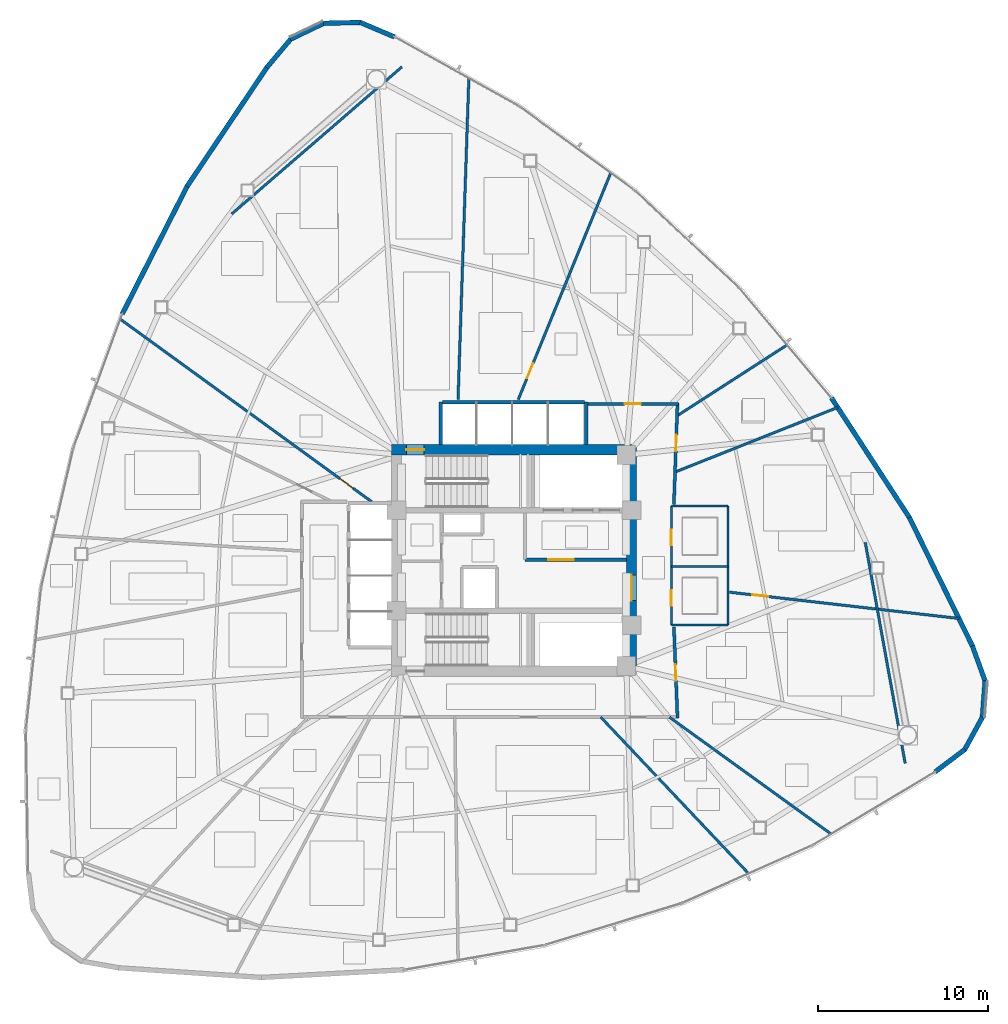
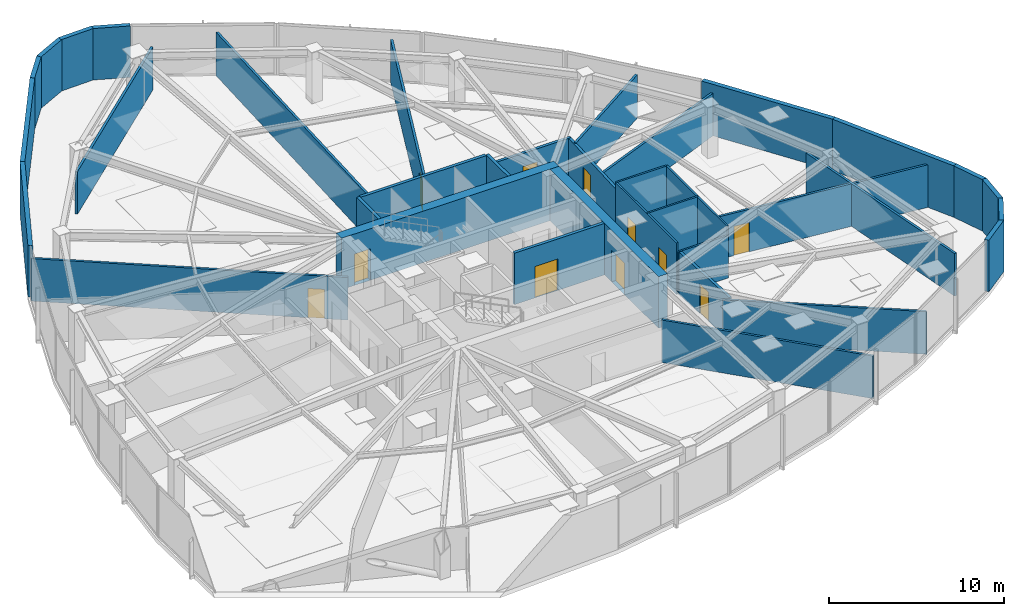
# One storey, part 12 of 17: 36 walls, 11 doors, 11 openings.
"""IFC4 building model written with IfcOpenShell, lengths in metres."""

from ifc_helpers import new_model, si_unit, direction, frame, frame_2d, origin, place, context, subcontext, project, spatial, rectangle, extrude, material, layer, layer_set, type_object, element, fill, save


model = new_model("IFC4")

# Units and contexts
model_context = context("Model", 3, precision=1e-05, world=origin(), true_north=direction((0.0, 1.0)))
body_context = subcontext(model_context, "Body", "Model", "MODEL_VIEW")
ifc_project = project(units=[si_unit("LENGTHUNIT", "METRE"), si_unit("AREAUNIT", "SQUARE_METRE"), si_unit("VOLUMEUNIT", "CUBIC_METRE"), si_unit("PLANEANGLEUNIT", "RADIAN"), si_unit("MASSUNIT", "GRAM", prefix="KILO")], contexts=[model_context])

# Site, building, storey
site_placement = place(None, origin())
site = spatial("IfcSite", under=ifc_project, at=site_placement, CompositionType="ELEMENT")
building_placement = place(site_placement, origin())
building = spatial("IfcBuilding", under=site, at=building_placement, Name="Tavelor Broadcast Tower", CompositionType="ELEMENT")
storey_placement = place(building_placement, frame((0.0, 0.0, 82.199951171875)))
storey = spatial("IfcBuildingStorey", under=building, at=storey_placement, Name="L19", CompositionType="ELEMENT", Elevation=82.199951171875)

# Wall, opening, door
ifc_material_1 = material(Name="Concrete C60/75", Category="concrete")
ifc_layer_1 = layer(ifc_material_1, 0.60009765625)
ifc_layer_set_1 = layer_set([ifc_layer_1], Name="Concrete C60/75")
wall_type_1 = type_object("IfcWallType", Name="Core Shear Wall 600 mm", PredefinedType="SHEAR", material=ifc_layer_set_1)
wall_1_placement = place(storey_placement, frame((42.800048828125, 51.5, 0.0), z_axis=(0.0, 0.0, 1.0), x_axis=(1.0, 0.0, 0.0)))
wall_1 = element("IfcWall", 1, at=wall_1_placement, inside=storey, type_object=wall_type_1, Name="L19 Central Core Shear Wall N", PredefinedType="SHEAR", context=body_context, shape_type="SweptSolid", body=[
    extrude(rectangle(XDim=14.39990234375, YDim=0.60009765625, at=frame_2d((7.199951171875, 0.0))), origin(), (0.0, 0.0, 1.0), 3.60009765625),
])
opening_1_placement = place(wall_1_placement, frame((0.8798828125, 0.0, 0.0)))
opening_1 = element("IfcOpeningElement", 2, at=opening_1_placement, cuts=wall_1, Name="Opening DR11", PredefinedType="OPENING", context=body_context, shape_type="SweptSolid", body=[
    extrude(rectangle(XDim=1.050048828125, YDim=2.199951171875, at=frame_2d((0.52490234375, 1.10009765625))), frame((0.0, 0.31005859375, 0.0), z_axis=(0.0, -1.0, 0.0), x_axis=(1.0, 0.0, 0.0)), (0.0, 0.0, 1.0), 0.6201171875),
])
ifc_material_2 = material(Name="Steel S355", Category="steel")
door_type_1 = type_object("IfcDoorType", Name="Stair Core Fire Escape Door 1050x2200", OperationType="NOTDEFINED", PredefinedType="DOOR", material=ifc_material_2)
door_1_placement = place(opening_1_placement, origin())
door_1 = element("IfcDoor", 3, at=door_1_placement, inside=storey, type_object=door_type_1, Name="L19 Stair ST1 Protected Exit Door", OperationType="SINGLE_SWING_LEFT", OverallHeight=2.199951171875, OverallWidth=1.050048828125, PredefinedType="DOOR", context=body_context, shape_type="SweptSolid", body=[
    extrude(rectangle(XDim=1.050048828125, YDim=2.199951171875, at=frame_2d((0.52490234375, 1.10009765625))), frame((0.0, 0.02490234375, 0.0), z_axis=(0.0, -1.0, 0.0), x_axis=(1.0, 0.0, 0.0)), (0.0, 0.0, 1.0), 0.050048828125),
])
fill(opening_1, door_1)

wall_2_placement = place(storey_placement, frame((56.89990234375, 38.800048828125, 0.0), z_axis=(0.0, 0.0, 1.0), x_axis=(0.0, 1.0, 0.0)))
wall_2 = element("IfcWall", 4, at=wall_2_placement, inside=storey, type_object=wall_type_1, Name="L19 Central Core Shear Wall E", PredefinedType="SHEAR", context=body_context, shape_type="SweptSolid", body=[
    extrude(rectangle(XDim=12.39990234375, YDim=0.60009765625, at=frame_2d((6.199951171875, 0.0))), origin(), (0.0, 0.0, 1.0), 3.60009765625),
])
opening_2_placement = place(wall_2_placement, frame((3.85009765625, 0.0, 0.0)))
opening_2 = element("IfcOpeningElement", 5, at=opening_2_placement, cuts=wall_2, Name="Opening DR14", PredefinedType="OPENING", context=body_context, shape_type="SweptSolid", body=[
    extrude(rectangle(XDim=1.5, YDim=2.199951171875, at=frame_2d((0.75, 1.10009765625))), frame((0.0, 0.31005859375, 0.0), z_axis=(0.0, -1.0, 0.0), x_axis=(1.0, 0.0, 0.0)), (0.0, 0.0, 1.0), 0.6201171875),
])
door_type_2 = type_object("IfcDoorType", Name="Firefighting Lobby Double Fire Door 1500x2200", OperationType="NOTDEFINED", PredefinedType="DOOR", material=ifc_material_2)
door_2_placement = place(opening_2_placement, origin())
door_2 = element("IfcDoor", 6, at=door_2_placement, inside=storey, type_object=door_type_2, Name="L19 Central Core Lobby Fire Door", OperationType="SINGLE_SWING_RIGHT", OverallHeight=2.199951171875, OverallWidth=1.5, PredefinedType="DOOR", context=body_context, shape_type="SweptSolid", body=[
    extrude(rectangle(XDim=1.5, YDim=2.199951171875, at=frame_2d((0.75, 1.10009765625))), frame((0.0, 0.02490234375, 0.0), z_axis=(0.0, -1.0, 0.0), x_axis=(1.0, 0.0, 0.0)), (0.0, 0.0, 1.0), 0.050048828125),
])
fill(opening_2, door_2)

ifc_material_3 = material(Name="Calcium Silicate Fire Board 180 mm", Category="gypsum")
ifc_layer_2 = layer(ifc_material_3, 0.179931640625)
ifc_layer_set_2 = layer_set([ifc_layer_2], Name="Calcium Silicate Fire Board 180 mm")
wall_type_2 = type_object("IfcWallType", Name="Fire-Rated Corridor Partition Wall 180 mm", PredefinedType="PARTITIONING", material=ifc_layer_set_2)
wall_3_placement = place(storey_placement, frame((54.300048828125, 54.199951171875, 0.0), z_axis=(0.0, 0.0, 1.0), x_axis=(1.0, 0.0, 0.0)))
wall_3 = element("IfcWall", 7, at=wall_3_placement, inside=storey, type_object=wall_type_2, Name="L19 Corridor Compartment Wall 01", PredefinedType="PARTITIONING", context=body_context, shape_type="SweptSolid", body=[
    extrude(rectangle(XDim=5.349853515625, YDim=0.179931640625, at=frame_2d((2.6748046875, 0.0))), origin(), (0.0, 0.0, 1.0), 2.97509765625),
])
opening_3_placement = place(wall_3_placement, frame((2.199951171875, 0.0, 0.0)))
opening_3 = element("IfcOpeningElement", 8, at=opening_3_placement, cuts=wall_3, Name="Opening DR18", PredefinedType="OPENING", context=body_context, shape_type="SweptSolid", body=[
    extrude(rectangle(XDim=0.949951171875, YDim=2.050048828125, at=frame_2d((0.47509765625, 1.02490234375))), frame((0.0, 0.10009765625, 0.0), z_axis=(0.0, -1.0, 0.0), x_axis=(1.0, 0.0, 0.0)), (0.0, 0.0, 1.0), 0.199951171875),
])
ifc_material_4 = material(Name="Timber Solid Core Hardwood", Category="wood")
door_type_3 = type_object("IfcDoorType", Name="Corridor Rated Compartment Door 950x2050", OperationType="NOTDEFINED", PredefinedType="DOOR", material=ifc_material_4)
door_3_placement = place(opening_3_placement, origin())
door_3 = element("IfcDoor", 9, at=door_3_placement, inside=storey, type_object=door_type_3, Name="L19 Standards Huddle Room Door R10", OperationType="SINGLE_SWING_RIGHT", OverallHeight=2.050048828125, OverallWidth=0.949951171875, PredefinedType="DOOR", context=body_context, shape_type="SweptSolid", body=[
    extrude(rectangle(XDim=0.949951171875, YDim=2.050048828125, at=frame_2d((0.47509765625, 1.02490234375))), frame((0.0, 0.02490234375, 0.0), z_axis=(0.0, -1.0, 0.0), x_axis=(1.0, 0.0, 0.0)), (0.0, 0.0, 1.0), 0.050048828125),
])
fill(opening_3, door_3)

wall_4_placement = place(storey_placement, frame((59.601806640625, 54.25, 0.0), z_axis=(0.0, 0.0, 1.0), x_axis=(-0.035265891834, -0.999377964973, 0.0)))
wall_4 = element("IfcWall", 10, at=wall_4_placement, inside=storey, type_object=wall_type_2, Name="L19 Corridor Compartment Wall 02", PredefinedType="PARTITIONING", context=body_context, shape_type="SweptSolid", body=[
    extrude(rectangle(XDim=5.95361328125, YDim=0.179931640625, at=frame_2d((2.976806640625, 0.0))), origin(), (0.0, 0.0, 1.0), 2.97509765625),
])
opening_4_placement = place(wall_4_placement, frame((1.876220703125, 0.0, 0.0)))
opening_4 = element("IfcOpeningElement", 11, at=opening_4_placement, cuts=wall_4, Name="Opening DR18", PredefinedType="OPENING", context=body_context, shape_type="SweptSolid", body=[
    extrude(rectangle(XDim=0.949951171875, YDim=2.050048828125, at=frame_2d((0.47509765625, 1.02490234375))), frame((0.0, 0.10009765625, 0.0), z_axis=(0.0, -1.0, 0.0), x_axis=(1.0, 0.0, 0.0)), (0.0, 0.0, 1.0), 0.199951171875),
])
door_4_placement = place(opening_4_placement, origin())
door_4 = element("IfcDoor", 12, at=door_4_placement, inside=storey, type_object=door_type_3, Name="L19 Editorial Coffee Pantry Door R11", OperationType="SINGLE_SWING_LEFT", OverallHeight=2.050048828125, OverallWidth=0.949951171875, PredefinedType="DOOR", context=body_context, shape_type="SweptSolid", body=[
    extrude(rectangle(XDim=0.949951171875, YDim=2.050048828125, at=frame_2d((0.47509765625, 1.02490234375))), frame((0.0, 0.02490234375, 0.0), z_axis=(0.0, -1.0, 0.0), x_axis=(1.0, 0.0, 0.0)), (0.0, 0.0, 1.0), 0.050048828125),
])
fill(opening_4, door_4)

wall_5_placement = place(storey_placement, frame((59.39208984375, 41.10009765625, 0.0), z_axis=(0.0, 0.0, 1.0), x_axis=(0.03921413315, -0.999230830069, 0.0)))
wall_5 = element("IfcWall", 13, at=wall_5_placement, inside=storey, type_object=wall_type_2, Name="L19 Corridor Compartment Wall 03", PredefinedType="PARTITIONING", context=body_context, shape_type="SweptSolid", body=[
    extrude(rectangle(XDim=5.354248046875, YDim=0.179931640625, at=frame_2d((2.67724609375, 0.0))), origin(), (0.0, 0.0, 1.0), 2.97509765625),
])
opening_5_placement = place(wall_5_placement, frame((2.201904296875, 0.0, 0.0)))
opening_5 = element("IfcOpeningElement", 14, at=opening_5_placement, cuts=wall_5, Name="Opening DR18", PredefinedType="OPENING", context=body_context, shape_type="SweptSolid", body=[
    extrude(rectangle(XDim=0.949951171875, YDim=2.050048828125, at=frame_2d((0.47509765625, 1.02490234375))), frame((0.0, 0.10009765625, 0.0), z_axis=(0.0, -1.0, 0.0), x_axis=(1.0, 0.0, 0.0)), (0.0, 0.0, 1.0), 0.199951171875),
])
door_5_placement = place(opening_5_placement, origin())
door_5 = element("IfcDoor", 15, at=door_5_placement, inside=storey, type_object=door_type_3, Name="L19 Broadcast Production Studio Door R13", OperationType="SINGLE_SWING_RIGHT", OverallHeight=2.050048828125, OverallWidth=0.949951171875, PredefinedType="DOOR", context=body_context, shape_type="SweptSolid", body=[
    extrude(rectangle(XDim=0.949951171875, YDim=2.050048828125, at=frame_2d((0.47509765625, 1.02490234375))), frame((0.0, 0.02490234375, 0.0), z_axis=(0.0, -1.0, 0.0), x_axis=(1.0, 0.0, 0.0)), (0.0, 0.0, 1.0), 0.050048828125),
])
fill(opening_5, door_5)

# Walls
ifc_material_5 = material(Name="Precast Concrete C40/50", Category="concrete")
ifc_layer_3 = layer(ifc_material_5, 0.280029296875)
ifc_layer_set_3 = layer_set([ifc_layer_3], Name="Precast Concrete C40/50")
wall_type_3 = type_object("IfcWallType", Name="Insulated Precast Terracotta Facade Wall 280 mm", PredefinedType="STANDARD", material=ifc_layer_set_3)
wall_6_placement = place(storey_placement, frame((42.98193359375, 75.74365234375, 0.0), z_axis=(0.0, 0.0, 1.0), x_axis=(-0.920830372246, 0.389963364368, 0.0)))
element("IfcWall", 16, at=wall_6_placement, inside=storey, type_object=wall_type_3, Name="L19 Rounded Corner Structural Cladding Pier 01", PredefinedType="STANDARD", context=body_context, shape_type="SweptSolid", body=[
    extrude(rectangle(XDim=2.19189453125, YDim=0.280029296875, at=frame_2d((1.095947265625, 0.0))), origin(), (0.0, 0.0, 1.0), 3.60009765625),
])
for number, where, z_axis, x_axis, name in (
    (17, (40.992431640625, 76.593017578125, 0.0), (0.0, 0.0, 1.0), (-0.999720907975, -0.023624270532, 0.0), "L19 Rounded Corner Structural Cladding Pier 02"),
    (18, (38.841064453125, 76.54833984375, 0.0), (0.0, 0.0, 1.0), (-0.90145665214, -0.432869384818, 0.0), "L19 Rounded Corner Structural Cladding Pier 03"),
):
    element("IfcWall", number, at=place(storey_placement, frame(where, z_axis=z_axis, x_axis=x_axis)), inside=storey, type_object=wall_type_3, Name=name, PredefinedType="STANDARD", context=body_context, shape_type="SweptSolid", body=[
        extrude(rectangle(XDim=2.180419921875, YDim=0.280029296875, at=frame_2d((1.09033203125, 0.0))), origin(), (0.0, 0.0, 1.0), 3.60009765625),
    ])
wall_7_placement = place(storey_placement, frame((36.898681640625, 75.622314453125, 0.0), z_axis=(0.0, 0.0, 1.0), x_axis=(-0.643524689995, -0.765425354536, 0.0)))
element("IfcWall", 19, at=wall_7_placement, inside=storey, type_object=wall_type_3, Name="L19 Rounded Corner Structural Cladding Pier 04", PredefinedType="STANDARD", context=body_context, shape_type="SweptSolid", body=[
    extrude(rectangle(XDim=2.203125, YDim=0.280029296875, at=frame_2d((1.1015625, 0.0))), origin(), (0.0, 0.0, 1.0), 3.60009765625),
])
wall_8_placement = place(storey_placement, frame((35.4990234375, 73.9599609375, 0.0), z_axis=(0.0, 0.0, 1.0), x_axis=(-0.557411085391, -0.830236642099, 0.0)))
element("IfcWall", 20, at=wall_8_placement, inside=storey, type_object=wall_type_3, Name="L19 Rounded Corner Structural Cladding Pier 05", PredefinedType="STANDARD", context=body_context, shape_type="SweptSolid", body=[
    extrude(rectangle(XDim=8.4287109375, YDim=0.280029296875, at=frame_2d((4.21435546875, 0.0))), origin(), (0.0, 0.0, 1.0), 3.60009765625),
])
wall_9_placement = place(storey_placement, frame((30.81591796875, 66.98779296875, 0.0), z_axis=(0.0, 0.0, 1.0), x_axis=(-0.452820438937, -0.891601732884, 0.0)))
element("IfcWall", 21, at=wall_9_placement, inside=storey, type_object=wall_type_3, Name="L19 Rounded Corner Structural Cladding Pier 06", PredefinedType="STANDARD", context=body_context, shape_type="SweptSolid", body=[
    extrude(rectangle(XDim=8.416748046875, YDim=0.280029296875, at=frame_2d((4.20849609375, 0.0))), origin(), (0.0, 0.0, 1.0), 3.60009765625),
])
wall_10_placement = place(storey_placement, frame((74.733642578125, 32.588134765625, 0.0), z_axis=(0.0, 0.0, 1.0), x_axis=(0.798098203965, 0.602527390936, 0.0)))
element("IfcWall", 22, at=wall_10_placement, inside=storey, type_object=wall_type_3, Name="L19 Rounded Corner Structural Cladding Pier 21", PredefinedType="STANDARD", context=body_context, shape_type="SweptSolid", body=[
    extrude(rectangle(XDim=2.192138671875, YDim=0.280029296875, at=frame_2d((1.09619140625, 0.0))), origin(), (0.0, 0.0, 1.0), 3.60009765625),
])
for number, where, z_axis, x_axis, name in (
    (23, (76.464111328125, 33.88671875, 0.0), (0.0, 0.0, 1.0), (0.479432530489, 0.87757874217, 0.0), "L19 Rounded Corner Structural Cladding Pier 22"),
    (24, (77.501220703125, 35.772216796875, 0.0), (0.0, 0.0, 1.0), (0.075805950911, 0.997122589157, 0.0), "L19 Rounded Corner Structural Cladding Pier 23"),
):
    element("IfcWall", number, at=place(storey_placement, frame(where, z_axis=z_axis, x_axis=x_axis)), inside=storey, type_object=wall_type_3, Name=name, PredefinedType="STANDARD", context=body_context, shape_type="SweptSolid", body=[
        extrude(rectangle(XDim=2.180419921875, YDim=0.280029296875, at=frame_2d((1.09033203125, 0.0))), origin(), (0.0, 0.0, 1.0), 3.60009765625),
    ])
wall_11_placement = place(storey_placement, frame((77.67041015625, 37.917236328125, 0.0), z_axis=(0.0, 0.0, 1.0), x_axis=(-0.341120101615, 0.940019721215, 0.0)))
element("IfcWall", 25, at=wall_11_placement, inside=storey, type_object=wall_type_3, Name="L19 Rounded Corner Structural Cladding Pier 24", PredefinedType="STANDARD", context=body_context, shape_type="SweptSolid", body=[
    extrude(rectangle(XDim=2.202880859375, YDim=0.280029296875, at=frame_2d((1.1015625, 0.0))), origin(), (0.0, 0.0, 1.0), 3.60009765625),
])
wall_12_placement = place(storey_placement, frame((76.9306640625, 39.960693359375, 0.0), z_axis=(0.0, 0.0, 1.0), x_axis=(-0.440329842181, 0.897836081969, 0.0)))
element("IfcWall", 26, at=wall_12_placement, inside=storey, type_object=wall_type_3, Name="L19 Rounded Corner Structural Cladding Pier 25", PredefinedType="STANDARD", context=body_context, shape_type="SweptSolid", body=[
    extrude(rectangle(XDim=8.4287109375, YDim=0.280029296875, at=frame_2d((4.21435546875, 0.0))), origin(), (0.0, 0.0, 1.0), 3.60009765625),
])
wall_13_placement = place(storey_placement, frame((73.23388671875, 47.502197265625, 0.0), z_axis=(0.0, 0.0, 1.0), x_axis=(-0.54570490997, 0.8379774169, 0.0)))
element("IfcWall", 27, at=wall_13_placement, inside=storey, type_object=wall_type_3, Name="L19 Rounded Corner Structural Cladding Pier 26", PredefinedType="STANDARD", context=body_context, shape_type="SweptSolid", body=[
    extrude(rectangle(XDim=8.416748046875, YDim=0.280029296875, at=frame_2d((4.20849609375, 0.0))), origin(), (0.0, 0.0, 1.0), 3.60009765625),
])
ifc_material_6 = material(Name="Gypsum Acoustic Plasterboard 150 mm", Category="gypsum")
ifc_layer_4 = layer(ifc_material_6, 0.14990234375)
ifc_layer_set_4 = layer_set([ifc_layer_4], Name="Gypsum Acoustic Plasterboard 150 mm")
wall_type_4 = type_object("IfcWallType", Name="Interior Acoustic Partition Wall 150 mm", PredefinedType="PARTITIONING", material=ifc_layer_set_4)
wall_14_placement = place(storey_placement, frame((43.42138671875, 73.9794921875, 0.0), z_axis=(0.0, 0.0, 1.0), x_axis=(-0.756659135409, -0.653809569218, 0.0)))
element("IfcWall", 28, at=wall_14_placement, inside=storey, type_object=wall_type_4, Name="L19 Corner Tube Brace Furring Wall 1", PredefinedType="PARTITIONING", context=body_context, shape_type="SweptSolid", body=[
    extrude(rectangle(XDim=13.200439453125, YDim=0.14990234375, at=frame_2d((6.60009765625, 0.0))), origin(), (0.0, 0.0, 1.0), 2.97509765625),
])
wall_15_placement = place(storey_placement, frame((72.96923828125, 33.09130859375, 0.0), z_axis=(0.0, 0.0, 1.0), x_axis=(-0.177742578179, 0.984077017261, 0.0)))
element("IfcWall", 29, at=wall_15_placement, inside=storey, type_object=wall_type_4, Name="L19 Corner Tube Brace Furring Wall 3", PredefinedType="PARTITIONING", context=body_context, shape_type="SweptSolid", body=[
    extrude(rectangle(XDim=13.179443359375, YDim=0.14990234375, at=frame_2d((6.58984375, 0.0))), origin(), (0.0, 0.0, 1.0), 2.97509765625),
])
wall_16_placement = place(storey_placement, frame((55.09814453125, 35.800048828125, 0.0), z_axis=(0.0, 0.0, 1.0), x_axis=(0.687004340324, -0.726653312368, 0.0)))
element("IfcWall", 30, at=wall_16_placement, inside=storey, type_object=wall_type_4, Name="L19 Radial Compartment Wall 07", PredefinedType="PARTITIONING", context=body_context, shape_type="SweptSolid", body=[
    extrude(rectangle(XDim=12.647705078125, YDim=0.14990234375, at=frame_2d((6.32373046875, 0.0))), origin(), (0.0, 0.0, 1.0), 2.97509765625),
])
wall_17_placement = place(storey_placement, frame((59.130126953125, 35.800048828125, 0.0), z_axis=(0.0, 0.0, 1.0), x_axis=(0.810494193623, -0.585746670587, 0.0)))
element("IfcWall", 31, at=wall_17_placement, inside=storey, type_object=wall_type_4, Name="L19 Radial Compartment Wall 08", PredefinedType="PARTITIONING", context=body_context, shape_type="SweptSolid", body=[
    extrude(rectangle(XDim=11.7275390625, YDim=0.14990234375, at=frame_2d((5.86376953125, 0.0))), origin(), (0.0, 0.0, 1.0), 2.97509765625),
])

# Wall, opening, door
wall_18_placement = place(storey_placement, frame((62.64990234375, 43.139404296875, 0.0), z_axis=(0.0, 0.0, 1.0), x_axis=(0.993506451723, -0.113775789972, 0.0)))
wall_18 = element("IfcWall", 32, at=wall_18_placement, inside=storey, type_object=wall_type_4, Name="L19 Radial Compartment Wall 09", PredefinedType="PARTITIONING", context=body_context, shape_type="SweptSolid", body=[
    extrude(rectangle(XDim=13.57861328125, YDim=0.14990234375, at=frame_2d((6.789306640625, 0.0))), origin(), (0.0, 0.0, 1.0), 2.97509765625),
])
opening_6_placement = place(wall_18_placement, frame((1.35009765625, 0.0, 0.0)))
opening_6 = element("IfcOpeningElement", 33, at=opening_6_placement, cuts=wall_18, Name="Opening DR18", PredefinedType="OPENING", context=body_context, shape_type="SweptSolid", body=[
    extrude(rectangle(XDim=0.949951171875, YDim=2.050048828125, at=frame_2d((0.47509765625, 1.02490234375))), frame((0.0, 0.0849609375, 0.0), z_axis=(0.0, -1.0, 0.0), x_axis=(1.0, 0.0, 0.0)), (0.0, 0.0, 1.0), 0.169921875),
])
door_6_placement = place(opening_6_placement, origin())
door_6 = element("IfcDoor", 34, at=door_6_placement, inside=storey, type_object=door_type_3, Name="L19 Suite Connecting Door 12", OperationType="SINGLE_SWING_LEFT", OverallHeight=2.050048828125, OverallWidth=0.949951171875, PredefinedType="DOOR", context=body_context, shape_type="SweptSolid", body=[
    extrude(rectangle(XDim=0.949951171875, YDim=2.050048828125, at=frame_2d((0.47509765625, 1.02490234375))), frame((0.0, 0.02490234375, 0.0), z_axis=(0.0, -1.0, 0.0), x_axis=(1.0, 0.0, 0.0)), (0.0, 0.0, 1.0), 0.050048828125),
])
fill(opening_6, door_6)

# Walls
wall_19_placement = place(storey_placement, frame((59.45849609375, 50.191162109375, 0.0), z_axis=(0.0, 0.0, 1.0), x_axis=(0.929266629851, 0.369409705672, 0.0)))
element("IfcWall", 35, at=wall_19_placement, inside=storey, type_object=wall_type_4, Name="L19 Radial Compartment Wall 10", PredefinedType="PARTITIONING", context=body_context, shape_type="SweptSolid", body=[
    extrude(rectangle(XDim=10.288818359375, YDim=0.14990234375, at=frame_2d((5.14453125, 0.0))), origin(), (0.0, 0.0, 1.0), 2.97509765625),
])
wall_20_placement = place(storey_placement, frame((59.574951171875, 53.490478515625, 0.0), z_axis=(0.0, 0.0, 1.0), x_axis=(0.840566863087, 0.541707807476, 0.0)))
element("IfcWall", 36, at=wall_20_placement, inside=storey, type_object=wall_type_4, Name="L19 Radial Compartment Wall 11", PredefinedType="PARTITIONING", context=body_context, shape_type="SweptSolid", body=[
    extrude(rectangle(XDim=7.69775390625, YDim=0.14990234375, at=frame_2d((3.848876953125, 0.0))), origin(), (0.0, 0.0, 1.0), 3.025146484375),
])

# Wall, opening, door
wall_21_placement = place(storey_placement, frame((50.255126953125, 54.449951171875, 0.0), z_axis=(0.0, 0.0, 1.0), x_axis=(0.377745745972, 0.925909364571, 0.0)))
wall_21 = element("IfcWall", 37, at=wall_21_placement, inside=storey, type_object=wall_type_4, Name="L19 Radial Compartment Wall 12", PredefinedType="PARTITIONING", context=body_context, shape_type="SweptSolid", body=[
    extrude(rectangle(XDim=14.373291015625, YDim=0.14990234375, at=frame_2d((7.1865234375, 0.0))), origin(), (0.0, 0.0, 1.0), 2.97509765625),
])
opening_7_placement = place(wall_21_placement, frame((1.35009765625, 0.0, 0.0)))
opening_7 = element("IfcOpeningElement", 38, at=opening_7_placement, cuts=wall_21, Name="Opening DR18", PredefinedType="OPENING", context=body_context, shape_type="SweptSolid", body=[
    extrude(rectangle(XDim=0.949951171875, YDim=2.050048828125, at=frame_2d((0.47509765625, 1.02490234375))), frame((0.0, 0.0849609375, 0.0), z_axis=(0.0, -1.0, 0.0), x_axis=(1.0, 0.0, 0.0)), (0.0, 0.0, 1.0), 0.169921875),
])
door_7_placement = place(opening_7_placement, origin())
door_7 = element("IfcDoor", 39, at=door_7_placement, inside=storey, type_object=door_type_3, Name="L19 Suite Connecting Door 9", OperationType="SINGLE_SWING_RIGHT", OverallHeight=2.050048828125, OverallWidth=0.949951171875, PredefinedType="DOOR", context=body_context, shape_type="SweptSolid", body=[
    extrude(rectangle(XDim=0.949951171875, YDim=2.050048828125, at=frame_2d((0.47509765625, 1.02490234375))), frame((0.0, 0.02490234375, 0.0), z_axis=(0.0, -1.0, 0.0), x_axis=(1.0, 0.0, 0.0)), (0.0, 0.0, 1.0), 0.050048828125),
])
fill(opening_7, door_7)

# Wall
wall_22_placement = place(storey_placement, frame((46.7177734375, 54.449951171875, 0.0), z_axis=(0.0, 0.0, 1.0), x_axis=(0.033594255069, 0.999435553713, 0.0)))
element("IfcWall", 40, at=wall_22_placement, inside=storey, type_object=wall_type_4, Name="L19 Radial Compartment Wall 13", PredefinedType="PARTITIONING", context=body_context, shape_type="SweptSolid", body=[
    extrude(rectangle(XDim=18.880615234375, YDim=0.14990234375, at=frame_2d((9.4404296875, 0.0))), origin(), (0.0, 0.0, 1.0), 3.025146484375),
])

# Wall, opening, door
wall_23_placement = place(storey_placement, frame((41.648681640625, 48.449951171875, 0.0), z_axis=(0.0, 0.0, 1.0), x_axis=(-0.809167426039, 0.587578145133, 0.0)))
wall_23 = element("IfcWall", 41, at=wall_23_placement, inside=storey, type_object=wall_type_4, Name="L19 Radial Compartment Wall 14", PredefinedType="PARTITIONING", context=body_context, shape_type="SweptSolid", body=[
    extrude(rectangle(XDim=18.249755859375, YDim=0.14990234375, at=frame_2d((9.125, 0.0))), origin(), (0.0, 0.0, 1.0), 2.97509765625),
])
opening_8_placement = place(wall_23_placement, frame((1.35009765625, 0.0, 0.0)))
opening_8 = element("IfcOpeningElement", 42, at=opening_8_placement, cuts=wall_23, Name="Opening DR18", PredefinedType="OPENING", context=body_context, shape_type="SweptSolid", body=[
    extrude(rectangle(XDim=0.949951171875, YDim=2.050048828125, at=frame_2d((0.47509765625, 1.02490234375))), frame((0.0, 0.0849609375, 0.0), z_axis=(0.0, -1.0, 0.0), x_axis=(1.0, 0.0, 0.0)), (0.0, 0.0, 1.0), 0.169921875),
])
door_8_placement = place(opening_8_placement, origin())
door_8 = element("IfcDoor", 43, at=door_8_placement, inside=storey, type_object=door_type_3, Name="L19 Suite Connecting Door 8", OperationType="SINGLE_SWING_LEFT", OverallHeight=2.050048828125, OverallWidth=0.949951171875, PredefinedType="DOOR", context=body_context, shape_type="SweptSolid", body=[
    extrude(rectangle(XDim=0.949951171875, YDim=2.050048828125, at=frame_2d((0.47509765625, 1.02490234375))), frame((0.0, 0.02490234375, 0.0), z_axis=(0.0, -1.0, 0.0), x_axis=(1.0, 0.0, 0.0)), (0.0, 0.0, 1.0), 0.050048828125),
])
fill(opening_8, door_8)

# Walls
ifc_material_7 = material(Name="Concrete Blockwork 200 mm", Category="masonry")
ifc_layer_5 = layer(ifc_material_7, 0.199951171875)
ifc_layer_set_5 = layer_set([ifc_layer_5], Name="Concrete Blockwork 200 mm")
wall_type_5 = type_object("IfcWallType", Name="Lift Hoistway Rated Front Wall 200 mm", PredefinedType="PARTITIONING", material=ifc_layer_set_5)
wall_24_placement = place(storey_placement, frame((45.820068359375, 54.300048828125, 0.0), z_axis=(0.0, 0.0, 1.0), x_axis=(1.0, 0.0, 0.0)))
element("IfcWall", 44, at=wall_24_placement, inside=storey, type_object=wall_type_5, Name="L19 High-Rise Lift Hoistway Front Wall", PredefinedType="PARTITIONING", context=body_context, shape_type="SweptSolid", body=[
    extrude(rectangle(XDim=8.309814453125, YDim=0.199951171875, at=frame_2d((4.15478515625, 0.0))), origin(), (0.0, 0.0, 1.0), 3.60009765625),
])
ifc_layer_6 = layer(ifc_material_7, 0.199951171875)
ifc_layer_set_6 = layer_set([ifc_layer_6], Name="Concrete Blockwork 200 mm")
wall_type_6 = type_object("IfcWallType", Name="Lift and Riser Shaft Enclosure Wall 200 mm", PredefinedType="PARTITIONING", material=ifc_layer_set_6)
for number, where, z_axis, x_axis, name in (
    (45, (45.699951171875, 51.800048828125, 0.0), (0.0, 0.0, 1.0), (0.0, 1.0, 0.0), "L19 High-Rise Lift Shaft West Wall"),
    (46, (54.25, 51.800048828125, 0.0), (0.0, 0.0, 1.0), (0.0, 1.0, 0.0), "L19 High-Rise Lift Shaft East Wall"),
):
    element("IfcWall", number, at=place(storey_placement, frame(where, z_axis=z_axis, x_axis=x_axis)), inside=storey, type_object=wall_type_6, Name=name, PredefinedType="PARTITIONING", context=body_context, shape_type="SweptSolid", body=[
        extrude(rectangle(XDim=2.5, YDim=0.199951171875, at=frame_2d((1.25, 0.0))), origin(), (0.0, 0.0, 1.0), 3.60009765625),
    ])

# Wall, opening, door
wall_25_placement = place(storey_placement, frame((50.64990234375, 45.050048828125, 0.0), z_axis=(0.0, 0.0, 1.0), x_axis=(1.0, 0.0, 0.0)))
wall_25 = element("IfcWall", 47, at=wall_25_placement, inside=storey, type_object=wall_type_6, Name="L19 Firefighting Lobby South Wall", PredefinedType="PARTITIONING", context=body_context, shape_type="SweptSolid", body=[
    extrude(rectangle(XDim=5.9501953125, YDim=0.199951171875, at=frame_2d((2.97509765625, 0.0))), origin(), (0.0, 0.0, 1.0), 3.60009765625),
])
opening_9_placement = place(wall_25_placement, frame((1.35009765625, 0.0, 0.0)))
opening_9 = element("IfcOpeningElement", 48, at=opening_9_placement, cuts=wall_25, Name="Opening DR14", PredefinedType="OPENING", context=body_context, shape_type="SweptSolid", body=[
    extrude(rectangle(XDim=1.5, YDim=2.199951171875, at=frame_2d((0.75, 1.10009765625))), frame((0.0, 0.10986328125, 0.0), z_axis=(0.0, -1.0, 0.0), x_axis=(1.0, 0.0, 0.0)), (0.0, 0.0, 1.0), 0.219970703125),
])
door_9_placement = place(opening_9_placement, origin())
door_9 = element("IfcDoor", 49, at=door_9_placement, inside=storey, type_object=door_type_2, Name="L19 Firefighting Lobby Compartment Door", OperationType="SINGLE_SWING_LEFT", OverallHeight=2.199951171875, OverallWidth=1.5, PredefinedType="DOOR", context=body_context, shape_type="SweptSolid", body=[
    extrude(rectangle(XDim=1.5, YDim=2.199951171875, at=frame_2d((0.75, 1.10009765625))), frame((0.0, 0.02490234375, 0.0), z_axis=(0.0, -1.0, 0.0), x_axis=(1.0, 0.0, 0.0)), (0.0, 0.0, 1.0), 0.050048828125),
])
fill(opening_9, door_9)

# Wall, openings, doors
ifc_material_8 = material(Name="Moisture-Resistant Plasterboard 120 mm", Category="gypsum")
ifc_layer_7 = layer(ifc_material_8, 0.1201171875)
ifc_layer_set_7 = layer_set([ifc_layer_7], Name="Moisture-Resistant Plasterboard 120 mm")
wall_type_7 = type_object("IfcWallType", Name="Moisture-Resistant Wet-Room Partition 120 mm", PredefinedType="PARTITIONING", material=ifc_layer_set_7)
wall_26_placement = place(storey_placement, frame((59.239990234375, 41.199951171875, 0.0), z_axis=(0.0, 0.0, 1.0), x_axis=(0.0, 1.0, 0.0)))
wall_26 = element("IfcWall", 50, at=wall_26_placement, inside=storey, type_object=wall_type_7, Name="L19 Floor Washrooms West Wall", PredefinedType="PARTITIONING", context=body_context, shape_type="SweptSolid", body=[
    extrude(rectangle(XDim=7.0, YDim=0.1201171875, at=frame_2d((3.5, 0.0))), origin(), (0.0, 0.0, 1.0), 3.60009765625),
])
opening_10_placement = place(wall_26_placement, frame((1.14990234375, 0.0, 0.0)))
opening_10 = element("IfcOpeningElement", 51, at=opening_10_placement, cuts=wall_26, Name="Opening DR32", PredefinedType="OPENING", context=body_context, shape_type="SweptSolid", body=[
    extrude(rectangle(XDim=0.89990234375, YDim=2.050048828125, at=frame_2d((0.449951171875, 1.02490234375))), frame((0.0, 0.070068359375, 0.0), z_axis=(0.0, -1.0, 0.0), x_axis=(1.0, 0.0, 0.0)), (0.0, 0.0, 1.0), 0.14013671875),
])
opening_11_placement = place(wall_26_placement, frame((4.699951171875, 0.0, 0.0)))
opening_11 = element("IfcOpeningElement", 52, at=opening_11_placement, cuts=wall_26, Name="Opening DR32", PredefinedType="OPENING", context=body_context, shape_type="SweptSolid", body=[
    extrude(rectangle(XDim=0.89990234375, YDim=2.050048828125, at=frame_2d((0.449951171875, 1.02490234375))), frame((0.0, 0.070068359375, 0.0), z_axis=(0.0, -1.0, 0.0), x_axis=(1.0, 0.0, 0.0)), (0.0, 0.0, 1.0), 0.14013671875),
])
door_type_4 = type_object("IfcDoorType", Name="Accessible Washroom Door 900x2050", OperationType="NOTDEFINED", PredefinedType="DOOR", material=ifc_material_4)
door_10_placement = place(opening_10_placement, origin())
door_10 = element("IfcDoor", 53, at=door_10_placement, inside=storey, type_object=door_type_4, Name="L19 Accessible WC Door", OperationType="SINGLE_SWING_LEFT", OverallHeight=2.050048828125, OverallWidth=0.89990234375, PredefinedType="DOOR", context=body_context, shape_type="SweptSolid", body=[
    extrude(rectangle(XDim=0.89990234375, YDim=2.050048828125, at=frame_2d((0.449951171875, 1.02490234375))), frame((0.0, 0.02490234375, 0.0), z_axis=(0.0, -1.0, 0.0), x_axis=(1.0, 0.0, 0.0)), (0.0, 0.0, 1.0), 0.050048828125),
])
fill(opening_10, door_10)
door_11_placement = place(opening_11_placement, origin())
door_11 = element("IfcDoor", 54, at=door_11_placement, inside=storey, type_object=door_type_4, Name="L19 Staff Washroom WC Door", OperationType="SINGLE_SWING_RIGHT", OverallHeight=2.050048828125, OverallWidth=0.89990234375, PredefinedType="DOOR", context=body_context, shape_type="SweptSolid", body=[
    extrude(rectangle(XDim=0.89990234375, YDim=2.050048828125, at=frame_2d((0.449951171875, 1.02490234375))), frame((0.0, 0.02490234375, 0.0), z_axis=(0.0, -1.0, 0.0), x_axis=(1.0, 0.0, 0.0)), (0.0, 0.0, 1.0), 0.050048828125),
])
fill(opening_11, door_11)

# Walls
wall_27_placement = place(storey_placement, frame((59.239990234375, 41.199951171875, 0.0), z_axis=(0.0, 0.0, 1.0), x_axis=(1.0, 0.0, 0.0)))
element("IfcWall", 55, at=wall_27_placement, inside=storey, type_object=wall_type_7, Name="L19 Floor Washrooms South Wall", PredefinedType="PARTITIONING", context=body_context, shape_type="SweptSolid", body=[
    extrude(rectangle(XDim=3.340087890625, YDim=0.1201171875, at=frame_2d((1.669921875, 0.0))), origin(), (0.0, 0.0, 1.0), 2.97509765625),
])
for number, where, z_axis, x_axis, name in (
    (56, (59.239990234375, 44.64990234375, 0.0), (0.0, 0.0, 1.0), (1.0, 0.0, 0.0), "L19 Floor Washrooms Divider Wall"),
    (57, (59.239990234375, 48.199951171875, 0.0), (0.0, 0.0, 1.0), (1.0, 0.0, 0.0), "L19 Floor Washrooms North Wall"),
):
    element("IfcWall", number, at=place(storey_placement, frame(where, z_axis=z_axis, x_axis=x_axis)), inside=storey, type_object=wall_type_7, Name=name, PredefinedType="PARTITIONING", context=body_context, shape_type="SweptSolid", body=[
        extrude(rectangle(XDim=3.340087890625, YDim=0.1201171875, at=frame_2d((1.669921875, 0.0))), origin(), (0.0, 0.0, 1.0), 3.60009765625),
    ])
wall_28_placement = place(storey_placement, frame((62.580078125, 41.199951171875, 0.0), z_axis=(0.0, 0.0, 1.0), x_axis=(0.0, 1.0, 0.0)))
element("IfcWall", 58, at=wall_28_placement, inside=storey, type_object=wall_type_7, Name="L19 Floor Washrooms East Wall", PredefinedType="PARTITIONING", context=body_context, shape_type="SweptSolid", body=[
    extrude(rectangle(XDim=7.0, YDim=0.1201171875, at=frame_2d((3.5, 0.0))), origin(), (0.0, 0.0, 1.0), 3.60009765625),
])

save(model, "model.ifc")
